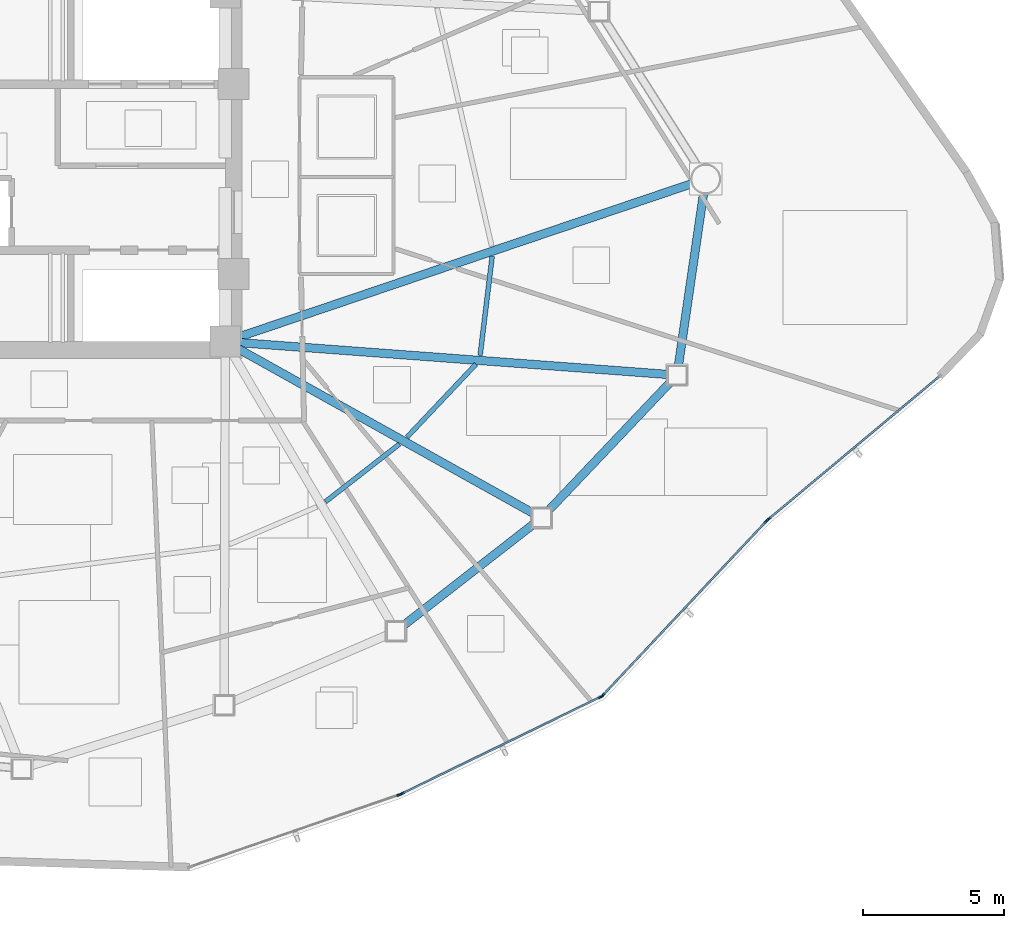
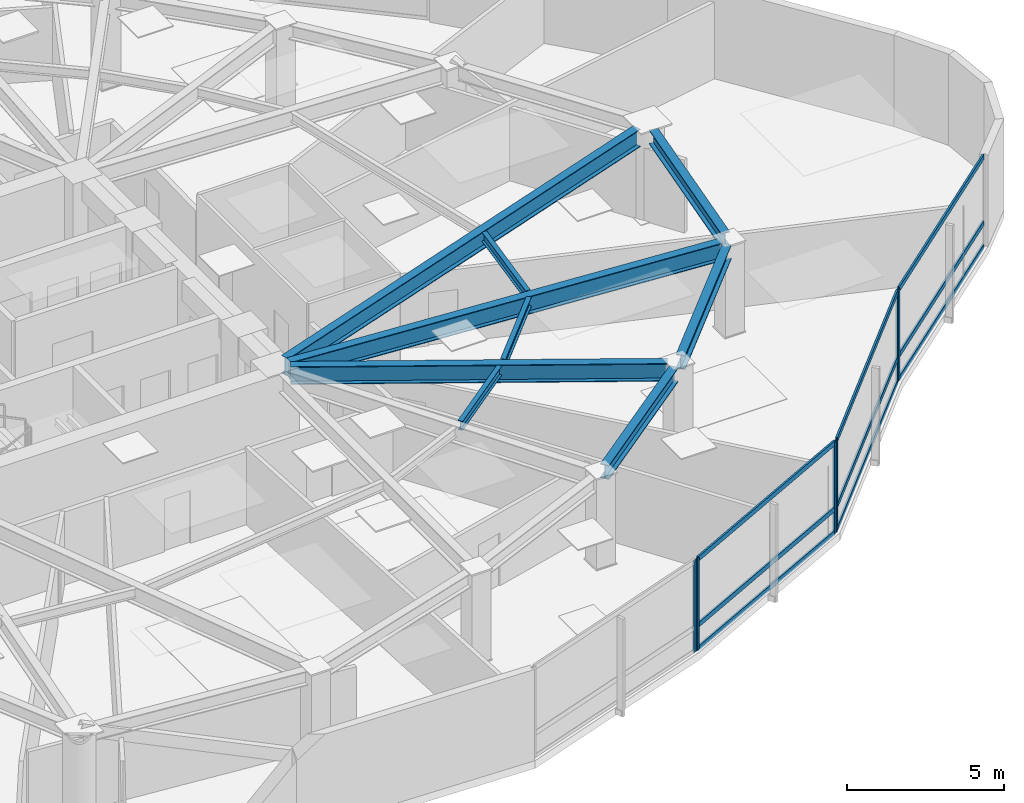
# One storey, part 5 of 17: 15 members, 9 beams, 4 elements without a shape of their own.
"""IFC4 building model written with IfcOpenShell, lengths in metres."""

from ifc_helpers import new_model, si_unit, direction, frame, origin, origin_2d, place, context, subcontext, project, spatial, hollow_rectangle, i_section, extrude, source, transform, mapped, material, layer, layer_set, material_profile, profile_set, type_object, type_shapes, element, aggregate, save


model = new_model("IFC4")

# Units and contexts
model_context = context("Model", 3, precision=1e-05, world=origin(), true_north=direction((0.0, 1.0)))
body_context = subcontext(model_context, "Body", "Model", "MODEL_VIEW")
ifc_project = project(units=[si_unit("LENGTHUNIT", "METRE"), si_unit("AREAUNIT", "SQUARE_METRE"), si_unit("VOLUMEUNIT", "CUBIC_METRE"), si_unit("PLANEANGLEUNIT", "RADIAN"), si_unit("MASSUNIT", "GRAM", prefix="KILO")], contexts=[model_context])

# Site, building, storey
site_placement = place(None, origin())
site = spatial("IfcSite", under=ifc_project, at=site_placement, CompositionType="ELEMENT")
building_placement = place(site_placement, origin())
building = spatial("IfcBuilding", under=site, at=building_placement, Name="Tavelor Broadcast Tower", CompositionType="ELEMENT")
storey_placement = place(building_placement, frame((0.0, 0.0, 127.14990234375)))
storey = spatial("IfcBuildingStorey", under=building, at=storey_placement, Name="L29", CompositionType="ELEMENT", Elevation=127.14990234375)

# Beams
ifc_material_1 = material(Name="Steel S355", Category="steel")
ifc_material_profile_1 = material_profile(ifc_material_1, i_section(OverallWidth=0.169921875, OverallDepth=0.360107421875, WebThickness=0.008056640625, FlangeThickness=0.0126953125, at=origin_2d()), Name="IPE 360")
ifc_profile_set_1 = profile_set([ifc_material_profile_1], Name="Steel S355")
beam_type_1 = type_object("IfcBeamType", Name="Composite Floor Joist T3 IPE 360", PredefinedType="JOIST", material=ifc_profile_set_1)
beam_1_placement = place(storey_placement, frame((60.163818359375, 33.107177734375, 3.3701171875), z_axis=(0.788471752191, 0.615070968261, 0.0), x_axis=(-0.615070968261, 0.788471752191, 0.0)))
element("IfcBeam", 1, at=beam_1_placement, inside=storey, type_object=beam_type_1, Name="L29 Secondary Composite Floor Joist 10", PredefinedType="JOIST", context=body_context, shape_type="SweptSolid", body=[
    extrude(i_section(OverallWidth=0.169921875, OverallDepth=0.360107421875, WebThickness=0.008056640625, FlangeThickness=0.0126953125, at=origin_2d()), origin(), (0.0, 0.0, 1.0), 3.33251953125),
])
beam_2_placement = place(storey_placement, frame((63.05859375, 35.39990234375, 3.3701171875), z_axis=(0.686806065531, 0.726840717317, 0.0), x_axis=(-0.726840717317, 0.686806065531, 0.0)))
element("IfcBeam", 2, at=beam_2_placement, inside=storey, type_object=beam_type_1, Name="L29 Secondary Composite Floor Joist 11", PredefinedType="JOIST", context=body_context, shape_type="SweptSolid", body=[
    extrude(i_section(OverallWidth=0.169921875, OverallDepth=0.360107421875, WebThickness=0.008056640625, FlangeThickness=0.0126953125, at=origin_2d()), origin(), (0.0, 0.0, 1.0), 3.573486328125),
])
beam_3_placement = place(storey_placement, frame((65.6591796875, 38.30859375, 3.3701171875), z_axis=(0.120874566199, 0.992667788964, 0.0), x_axis=(-0.992667788964, 0.120874566199, 0.0)))
element("IfcBeam", 3, at=beam_3_placement, inside=storey, type_object=beam_type_1, Name="L29 Secondary Composite Floor Joist 12", PredefinedType="JOIST", context=body_context, shape_type="SweptSolid", body=[
    extrude(i_section(OverallWidth=0.169921875, OverallDepth=0.360107421875, WebThickness=0.008056640625, FlangeThickness=0.0126953125, at=origin_2d()), origin(), (0.0, 0.0, 1.0), 3.556884765625),
])
ifc_material_profile_2 = material_profile(ifc_material_1, i_section(OverallWidth=0.300048828125, OverallDepth=0.550048828125, WebThickness=0.014892578125, FlangeThickness=0.029052734375, at=origin_2d()), Name="HEB 550")
ifc_profile_set_2 = profile_set([ifc_material_profile_2], Name="Steel S355")
beam_type_2 = type_object("IfcBeamType", Name="Perimeter Spandrel Beam T3 HEB 550", PredefinedType="SPANDREL", material=ifc_profile_set_2)
beam_4_placement = place(storey_placement, frame((62.934326171875, 28.709716796875, 3.275146484375), z_axis=(0.788970059341, 0.614431644257, 0.0), x_axis=(-0.614431644257, 0.788970059341, 0.0)))
element("IfcBeam", 4, at=beam_4_placement, inside=storey, type_object=beam_type_2, Name="L29 Framed-Tube Ring Spandrel 10", PredefinedType="SPANDREL", context=body_context, shape_type="SweptSolid", body=[
    extrude(i_section(OverallWidth=0.300048828125, OverallDepth=0.550048828125, WebThickness=0.014892578125, FlangeThickness=0.029052734375, at=origin_2d()), origin(), (0.0, 0.0, 1.0), 5.884765625),
])
beam_5_placement = place(storey_placement, frame((68.073486328125, 32.775390625, 3.275146484375), z_axis=(0.688378130541, 0.72535201757, 0.0), x_axis=(-0.72535201757, 0.688378130541, 0.0)))
element("IfcBeam", 5, at=beam_5_placement, inside=storey, type_object=beam_type_2, Name="L29 Framed-Tube Ring Spandrel 11", PredefinedType="SPANDREL", context=body_context, shape_type="SweptSolid", body=[
    extrude(i_section(OverallWidth=0.300048828125, OverallDepth=0.550048828125, WebThickness=0.014892578125, FlangeThickness=0.029052734375, at=origin_2d()), origin(), (0.0, 0.0, 1.0), 6.32568359375),
])
beam_6_placement = place(storey_placement, frame((72.707763671875, 37.93994140625, 3.275146484375), z_axis=(0.144294035731, 0.989534856007, 0.0), x_axis=(-0.989534856007, 0.144294035731, 0.0)))
element("IfcBeam", 6, at=beam_6_placement, inside=storey, type_object=beam_type_2, Name="L29 Framed-Tube Ring Spandrel 12", PredefinedType="SPANDREL", context=body_context, shape_type="SweptSolid", body=[
    extrude(i_section(OverallWidth=0.300048828125, OverallDepth=0.550048828125, WebThickness=0.014892578125, FlangeThickness=0.029052734375, at=origin_2d()), origin(), (0.0, 0.0, 1.0), 6.19775390625),
])
ifc_material_profile_3 = material_profile(ifc_material_1, i_section(OverallWidth=0.300048828125, OverallDepth=0.68994140625, WebThickness=0.014404296875, FlangeThickness=0.027099609375, at=origin_2d()), Name="HEA 700")
ifc_profile_set_3 = profile_set([ifc_material_profile_3], Name="Steel S355")
beam_type_3 = type_object("IfcBeamType", Name="Radial Floor Girder T3 HEA 700", PredefinedType="BEAM", material=ifc_profile_set_3)
beam_7_placement = place(storey_placement, frame((57.061279296875, 38.54296875, 3.205078125), z_axis=(0.873405286678, -0.486994050481, 0.0), x_axis=(0.486994050481, 0.873405286678, 0.0)))
element("IfcBeam", 7, at=beam_7_placement, inside=storey, type_object=beam_type_3, Name="L29 Radial Primary Floor Girder 11", PredefinedType="BEAM", context=body_context, shape_type="SweptSolid", body=[
    extrude(i_section(OverallWidth=0.300048828125, OverallDepth=0.68994140625, WebThickness=0.014404296875, FlangeThickness=0.027099609375, at=origin_2d()), origin(), (0.0, 0.0, 1.0), 12.007568359375),
])
beam_8_placement = place(storey_placement, frame((57.126708984375, 38.760986328125, 3.205078125), z_axis=(0.997253617312, -0.074062289721, 0.0), x_axis=(0.074062289721, 0.997253617312, 0.0)))
element("IfcBeam", 8, at=beam_8_placement, inside=storey, type_object=beam_type_3, Name="L29 Radial Primary Floor Girder 12", PredefinedType="BEAM", context=body_context, shape_type="SweptSolid", body=[
    extrude(i_section(OverallWidth=0.300048828125, OverallDepth=0.68994140625, WebThickness=0.014404296875, FlangeThickness=0.027099609375, at=origin_2d()), origin(), (0.0, 0.0, 1.0), 15.2392578125),
])
beam_9_placement = place(storey_placement, frame((57.10009765625, 38.96923828125, 3.205078125), z_axis=(0.947217379582, 0.32059200835, 0.0), x_axis=(-0.32059200835, 0.947217379582, 0.0)))
element("IfcBeam", 9, at=beam_9_placement, inside=storey, type_object=beam_type_3, Name="L29 Radial Primary Floor Girder 13", PredefinedType="BEAM", context=body_context, shape_type="SweptSolid", body=[
    extrude(i_section(OverallWidth=0.300048828125, OverallDepth=0.68994140625, WebThickness=0.014404296875, FlangeThickness=0.027099609375, at=origin_2d()), origin(), (0.0, 0.0, 1.0), 16.987548828125),
])

# Curtain wall, member
ifc_material_2 = material(Name="Architectural Anodized Aluminium", Category="aluminium")
ifc_layer = layer(ifc_material_2, 0.18994140625)
ifc_layer_set = layer_set([ifc_layer], Name="Architectural Anodized Aluminium")
curtain_wall_type = type_object("IfcCurtainWallType", Name="Tower Mid-Zone Acoustic Curtain Wall CW03", PredefinedType="NOTDEFINED", material=ifc_layer_set)
curtain_wall_1_placement = place(storey_placement, origin())
curtain_wall_1 = element("IfcCurtainWall", 10, at=curtain_wall_1_placement, inside=storey, type_object=curtain_wall_type, Name="L29 Curtain Wall CW03 Run 293", PredefinedType="NOTDEFINED")
ifc_material_profile_4 = material_profile(ifc_material_2, hollow_rectangle(XDim=0.068115234375, YDim=0.18994140625, WallThickness=0.02197265625, at=origin_2d()), Name="RHS 68x190x22")
ifc_profile_set_4 = profile_set([ifc_material_profile_4], Name="Architectural Anodized Aluminium")
member_type_1 = type_object("IfcMemberType", Name="CW03 Extruded Aluminium Mullion 68x190", PredefinedType="MULLION", material=ifc_profile_set_4)
shared_shape_1 = source(origin(), body_context, "Body", "SweptSolid", [
    extrude(hollow_rectangle(XDim=0.068115234375, YDim=0.18994140625, WallThickness=0.02197265625, at=origin_2d()), origin(), (0.0, 0.0, 1.0), 3.550048828125),
])
type_shapes(member_type_1, [shared_shape_1])
member_1_placement = place(storey_placement, frame((62.788330078125, 22.689697265625, 0.0), z_axis=(0.0, 0.0, 1.0), x_axis=(-0.325984471365, 0.945375123657, 0.0)))
member_1 = element("IfcMember", 11, at=member_1_placement, type_object=member_type_1, Name="CW03 mullion 2", PredefinedType="MULLION", context=body_context, shape_type="MappedRepresentation", body=[
    mapped(shared_shape_1, transform((0.0, 0.0, 0.0), scale=1.0)),
])
aggregate(curtain_wall_1, [member_1])

# Curtain wall, members
curtain_wall_2_placement = place(storey_placement, origin())
curtain_wall_2 = element("IfcCurtainWall", 12, at=curtain_wall_2_placement, inside=storey, type_object=curtain_wall_type, Name="L29 Curtain Wall CW03 Run 294", PredefinedType="NOTDEFINED")
member_2_placement = place(storey_placement, frame((62.878662109375, 22.72705078125, 0.0), z_axis=(0.0, 0.0, 1.0), x_axis=(-0.437970992604, 0.898989104293, 0.0)))
member_2 = element("IfcMember", 13, at=member_2_placement, type_object=member_type_1, Name="CW03 mullion 1", PredefinedType="MULLION", context=body_context, shape_type="MappedRepresentation", body=[
    mapped(shared_shape_1, transform((0.0, 0.0, 0.0), scale=1.0)),
])
member_3_placement = place(storey_placement, frame((69.940185546875, 26.167236328125, 0.0), z_axis=(0.0, 0.0, 1.0), x_axis=(-0.437970992604, 0.898989104293, 0.0)))
member_3 = element("IfcMember", 14, at=member_3_placement, type_object=member_type_1, Name="CW03 mullion 2", PredefinedType="MULLION", context=body_context, shape_type="MappedRepresentation", body=[
    mapped(shared_shape_1, transform((0.0, 0.0, 0.0), scale=1.0)),
])

curtain_wall_3_placement = place(storey_placement, origin())
curtain_wall_3 = element("IfcCurtainWall", 15, at=curtain_wall_3_placement, inside=storey, type_object=curtain_wall_type, Name="L29 Curtain Wall CW03 Run 295", PredefinedType="NOTDEFINED")
member_4_placement = place(storey_placement, frame((70.017578125, 26.224365234375, 0.0), z_axis=(0.0, 0.0, 1.0), x_axis=(-0.728864832875, 0.684657619105, 0.0)))
member_4 = element("IfcMember", 16, at=member_4_placement, type_object=member_type_1, Name="CW03 mullion 1", PredefinedType="MULLION", context=body_context, shape_type="MappedRepresentation", body=[
    mapped(shared_shape_1, transform((0.0, 0.0, 0.0), scale=1.0)),
])
member_5_placement = place(storey_placement, frame((75.83935546875, 32.422119140625, 0.0), z_axis=(0.0, 0.0, 1.0), x_axis=(-0.728864832875, 0.684657619105, 0.0)))
member_5 = element("IfcMember", 17, at=member_5_placement, type_object=member_type_1, Name="CW03 mullion 2", PredefinedType="MULLION", context=body_context, shape_type="MappedRepresentation", body=[
    mapped(shared_shape_1, transform((0.0, 0.0, 0.0), scale=1.0)),
])

curtain_wall_4_placement = place(storey_placement, origin())
curtain_wall_4 = element("IfcCurtainWall", 18, at=curtain_wall_4_placement, inside=storey, type_object=curtain_wall_type, Name="L29 Curtain Wall CW03 Run 296", PredefinedType="NOTDEFINED")
member_6_placement = place(storey_placement, frame((75.910400390625, 32.489013671875, 0.0), z_axis=(0.0, 0.0, 1.0), x_axis=(-0.641143703976, 0.767420843378, 0.0)))
member_6 = element("IfcMember", 19, at=member_6_placement, type_object=member_type_1, Name="CW03 mullion 1", PredefinedType="MULLION", context=body_context, shape_type="MappedRepresentation", body=[
    mapped(shared_shape_1, transform((0.0, 0.0, 0.0), scale=1.0)),
])
ifc_material_profile_5 = material_profile(ifc_material_2, hollow_rectangle(XDim=0.068115234375, YDim=0.18994140625, WallThickness=0.02197265625, at=origin_2d()), Name="RHS 68x190x22")
ifc_profile_set_5 = profile_set([ifc_material_profile_5], Name="Architectural Anodized Aluminium")
member_type_2 = type_object("IfcMemberType", Name="CW03 Extruded Aluminium Transom 68x190", PredefinedType="USERDEFINED", material=ifc_profile_set_5)
shared_shape_2 = source(origin(), body_context, "Body", "SweptSolid", [
    extrude(hollow_rectangle(XDim=0.068115234375, YDim=0.18994140625, WallThickness=0.02197265625, at=origin_2d()), origin(), (0.0, 0.0, 1.0), 7.8369140625),
])
member_7_placement = place(storey_placement, frame((75.9365234375, 32.510986328125, 0.0341796875), z_axis=(0.767441898559, 0.641118501009, 0.0), x_axis=(-0.641118501009, 0.767441898559, 0.0)))
member_7 = element("IfcMember", 20, at=member_7_placement, type_object=member_type_2, Name="CW03 transom 1.1", ObjectType="TRANSOM", PredefinedType="USERDEFINED", context=body_context, shape_type="MappedRepresentation", body=[
    mapped(shared_shape_2, transform((0.0, 0.0, 0.0), scale=1.0)),
])
member_8_placement = place(storey_placement, frame((75.9365234375, 32.510986328125, 0.9501953125), z_axis=(0.767441898559, 0.641118501009, 0.0), x_axis=(-0.641118501009, 0.767441898559, 0.0)))
member_8 = element("IfcMember", 21, at=member_8_placement, type_object=member_type_2, Name="CW03 transom 1.2", ObjectType="TRANSOM", PredefinedType="USERDEFINED", context=body_context, shape_type="MappedRepresentation", body=[
    mapped(shared_shape_2, transform((0.0, 0.0, 0.0), scale=1.0)),
])
member_9_placement = place(storey_placement, frame((75.9365234375, 32.510986328125, 3.51611328125), z_axis=(0.767441898559, 0.641118501009, 0.0), x_axis=(-0.641118501009, 0.767441898559, 0.0)))
member_9 = element("IfcMember", 22, at=member_9_placement, type_object=member_type_2, Name="CW03 transom 1.3", ObjectType="TRANSOM", PredefinedType="USERDEFINED", context=body_context, shape_type="MappedRepresentation", body=[
    mapped(shared_shape_2, transform((0.0, 0.0, 0.0), scale=1.0)),
])
aggregate(curtain_wall_4, [member_6, member_7, member_8, member_9])

# Member
shared_shape_3 = source(origin(), body_context, "Body", "SweptSolid", [
    extrude(hollow_rectangle(XDim=0.068115234375, YDim=0.18994140625, WallThickness=0.02197265625, at=origin_2d()), origin(), (0.0, 0.0, 1.0), 8.43505859375),
])
member_10_placement = place(storey_placement, frame((70.041015625, 26.249267578125, 0.0341796875), z_axis=(0.684662881648, 0.72885988948, 0.0), x_axis=(-0.72885988948, 0.684662881648, 0.0)))
member_10 = element("IfcMember", 23, at=member_10_placement, type_object=member_type_2, Name="CW03 transom 1.1", ObjectType="TRANSOM", PredefinedType="USERDEFINED", context=body_context, shape_type="MappedRepresentation", body=[
    mapped(shared_shape_3, transform((0.0, 0.0, 0.0), scale=1.0)),
])

member_11_placement = place(storey_placement, frame((70.041015625, 26.249267578125, 0.9501953125), z_axis=(0.684662881648, 0.72885988948, 0.0), x_axis=(-0.72885988948, 0.684662881648, 0.0)))
member_11 = element("IfcMember", 24, at=member_11_placement, type_object=member_type_2, Name="CW03 transom 1.2", ObjectType="TRANSOM", PredefinedType="USERDEFINED", context=body_context, shape_type="MappedRepresentation", body=[
    mapped(shared_shape_3, transform((0.0, 0.0, 0.0), scale=1.0)),
])

member_12_placement = place(storey_placement, frame((70.041015625, 26.249267578125, 3.51611328125), z_axis=(0.684662881648, 0.72885988948, 0.0), x_axis=(-0.72885988948, 0.684662881648, 0.0)))
member_12 = element("IfcMember", 25, at=member_12_placement, type_object=member_type_2, Name="CW03 transom 1.3", ObjectType="TRANSOM", PredefinedType="USERDEFINED", context=body_context, shape_type="MappedRepresentation", body=[
    mapped(shared_shape_3, transform((0.0, 0.0, 0.0), scale=1.0)),
])

aggregate(curtain_wall_3, [member_4, member_5, member_10, member_11, member_12])

shared_shape_4 = source(origin(), body_context, "Body", "SweptSolid", [
    extrude(hollow_rectangle(XDim=0.068115234375, YDim=0.18994140625, WallThickness=0.02197265625, at=origin_2d()), origin(), (0.0, 0.0, 1.0), 7.787109375),
])
type_shapes(member_type_2, [shared_shape_2, shared_shape_3, shared_shape_4])
member_13_placement = place(storey_placement, frame((62.9091796875, 22.741943359375, 0.0341796875), z_axis=(0.898994616602, 0.437959677733, 0.0), x_axis=(-0.437959677733, 0.898994616602, 0.0)))
member_13 = element("IfcMember", 26, at=member_13_placement, type_object=member_type_2, Name="CW03 transom 1.1", ObjectType="TRANSOM", PredefinedType="USERDEFINED", context=body_context, shape_type="MappedRepresentation", body=[
    mapped(shared_shape_4, transform((0.0, 0.0, 0.0), scale=1.0)),
])

member_14_placement = place(storey_placement, frame((62.9091796875, 22.741943359375, 0.9501953125), z_axis=(0.898994616602, 0.437959677733, 0.0), x_axis=(-0.437959677733, 0.898994616602, 0.0)))
member_14 = element("IfcMember", 27, at=member_14_placement, type_object=member_type_2, Name="CW03 transom 1.2", ObjectType="TRANSOM", PredefinedType="USERDEFINED", context=body_context, shape_type="MappedRepresentation", body=[
    mapped(shared_shape_4, transform((0.0, 0.0, 0.0), scale=1.0)),
])

member_15_placement = place(storey_placement, frame((62.9091796875, 22.741943359375, 3.51611328125), z_axis=(0.898994616602, 0.437959677733, 0.0), x_axis=(-0.437959677733, 0.898994616602, 0.0)))
member_15 = element("IfcMember", 28, at=member_15_placement, type_object=member_type_2, Name="CW03 transom 1.3", ObjectType="TRANSOM", PredefinedType="USERDEFINED", context=body_context, shape_type="MappedRepresentation", body=[
    mapped(shared_shape_4, transform((0.0, 0.0, 0.0), scale=1.0)),
])

aggregate(curtain_wall_2, [member_2, member_3, member_13, member_14, member_15])

save(model, "model.ifc")
